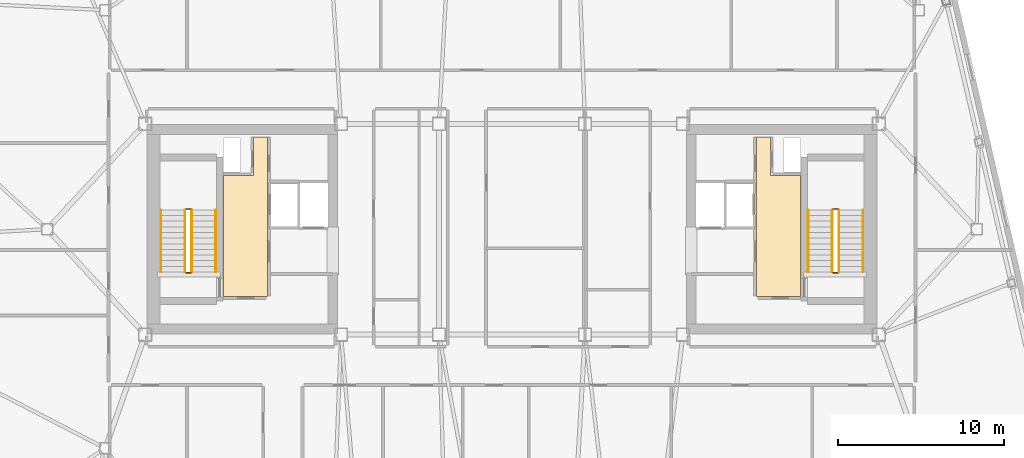
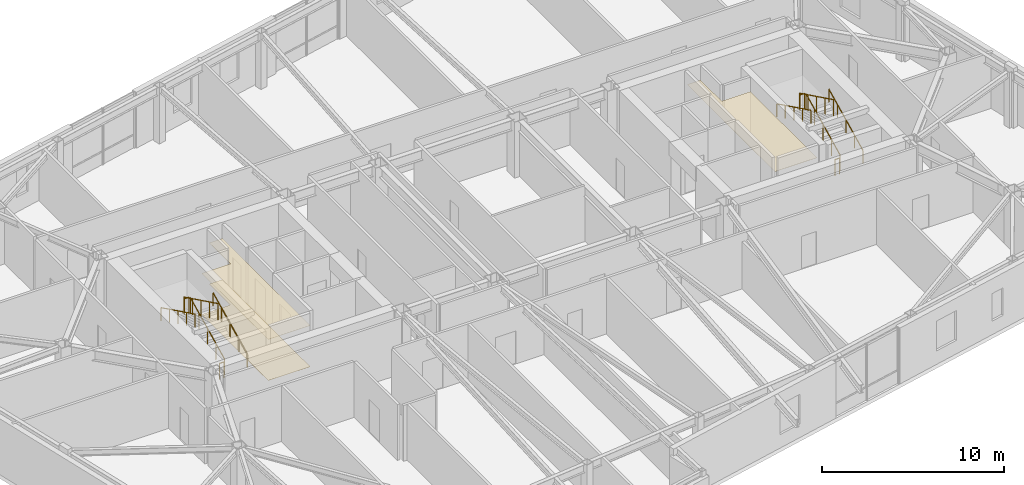
# One storey, part 21 of 21: 12 railings, 3 coverings.
"""IFC4 building model written with IfcOpenShell, lengths in metres."""

from ifc_helpers import new_model, si_unit, direction, frame, origin, origin_2d, place, context, subcontext, project, spatial, polyline, rectangle, outline, extrude, material, layer, layer_set, type_object, element, save


model = new_model("IFC4")

# Units and contexts
model_context = context("Model", 3, precision=1e-05, world=origin(), true_north=direction((0.0, 1.0)))
body_context = subcontext(model_context, "Body", "Model", "MODEL_VIEW")
ifc_project = project(units=[si_unit("LENGTHUNIT", "METRE"), si_unit("AREAUNIT", "SQUARE_METRE"), si_unit("VOLUMEUNIT", "CUBIC_METRE"), si_unit("PLANEANGLEUNIT", "RADIAN"), si_unit("MASSUNIT", "GRAM", prefix="KILO")], contexts=[model_context])

# Site, building, storey
site_placement = place(None, origin())
site = spatial("IfcSite", under=ifc_project, at=site_placement, CompositionType="ELEMENT")
building_placement = place(site_placement, origin())
building = spatial("IfcBuilding", under=site, at=building_placement, Name="Tavrogorsk Clinical Tower", CompositionType="ELEMENT")
storey_placement = place(building_placement, frame((0.0, 0.0, 285.0)))
storey = spatial("IfcBuildingStorey", under=building, at=storey_placement, Name="L66", CompositionType="ELEMENT", Elevation=285.0)

# Coverings
ifc_material_1 = material(Name="Antibacterial micro-perforated aluminium ceiling", Category="aluminium")
ifc_layer_1 = layer(ifc_material_1, 0.014892578125)
ifc_layer_set_1 = layer_set([ifc_layer_1], Name="Antibacterial micro-perforated aluminium ceiling")
covering_type_1 = type_object("IfcCoveringType", Name="ClinicalCeiling_15", PredefinedType="CEILING", material=ifc_layer_set_1)
covering_1_placement = place(storey_placement, frame((0.0, 0.0, 2.75)))
element("IfcCovering", 1, at=covering_1_placement, inside=storey, type_object=covering_type_1, Name="Core West Firefighting Lift Lobby Acoustic Ceiling", PredefinedType="CEILING", context=body_context, shape_type="SweptSolid", body=[
    extrude(outline(polyline([(-14.719970703125, 5.56005859375), (-14.719970703125, -4.06005859375), (-17.3798828125, -4.06005859375), (-17.3798828125, 3.239990234375), (-15.56005859375, 3.239990234375), (-15.56005859375, 5.56005859375), (-14.719970703125, 5.56005859375)])), origin(), (0.0, 0.0, 1.0), 0.014892578125),
])
covering_2_placement = place(storey_placement, frame((0.0, 0.0, 2.75)))
element("IfcCovering", 2, at=covering_2_placement, inside=storey, type_object=covering_type_1, Name="Core East Firefighting Lift Lobby Acoustic Ceiling", PredefinedType="CEILING", context=body_context, shape_type="SweptSolid", body=[
    extrude(outline(polyline([(17.3798828125, -4.06005859375), (14.719970703125, -4.06005859375), (14.719970703125, 5.56005859375), (15.56005859375, 5.56005859375), (15.56005859375, 3.239990234375), (17.3798828125, 3.239990234375), (17.3798828125, -4.06005859375)])), origin(), (0.0, 0.0, 1.0), 0.014892578125),
])
ifc_material_2 = material(Name="Homogeneous medical conductive PVC flooring")
ifc_layer_2 = layer(ifc_material_2, 0.008056640625)
ifc_layer_set_2 = layer_set([ifc_layer_2], Name="Homogeneous medical conductive PVC flooring")
covering_type_2 = type_object("IfcCoveringType", Name="ResilientVinylFloor_8", PredefinedType="FLOORING", material=ifc_layer_set_2)
covering_3_placement = place(storey_placement, origin())
element("IfcCovering", 3, at=covering_3_placement, inside=storey, type_object=covering_type_2, Name="Core West Firefighting Lift Lobby Conductive Vinyl Flooring", PredefinedType="FLOORING", context=body_context, shape_type="SweptSolid", body=[
    extrude(outline(polyline([(-14.719970703125, 5.56005859375), (-14.719970703125, -4.06005859375), (-17.3798828125, -4.06005859375), (-17.3798828125, 3.239990234375), (-15.56005859375, 3.239990234375), (-15.56005859375, 5.56005859375), (-14.719970703125, 5.56005859375)])), origin(), (0.0, 0.0, 1.0), 0.008056640625),
])

# Railings
ifc_material_3 = material(Name="Galvanised steel S355 safety stairwell guard", Category="steel")
ifc_layer_3 = layer(ifc_material_3, 0.06005859375)
ifc_layer_set_3 = layer_set([ifc_layer_3], Name="Galvanised steel S355 safety stairwell guard")
railing_type_1 = type_object("IfcRailingType", Name="StairGuard_1150", PredefinedType="GUARDRAIL", material=ifc_layer_set_3)
railing_1_placement = place(storey_placement, frame((-19.300048828125, -2.574951171875, 0.166748046875)))
element("IfcRailing", 4, at=railing_1_placement, inside=storey, type_object=railing_type_1, Name="L66 ST-W stair guard 1", PredefinedType="GUARDRAIL", context=body_context, shape_type="SweptSolid", body=[
    extrude(rectangle(XDim=0.048095703125, YDim=0.048095703125, at=origin_2d()), frame((0.0, 0.0, 1.076171875), z_axis=(0.0, 0.897927990467, 0.440142390523), x_axis=(-1.0, 0.0, 0.0)), (0.0, 0.0, 1.0), 4.1650390625),
    extrude(rectangle(XDim=0.0419921875, YDim=0.0419921875, at=origin_2d()), origin(), (0.0, 0.0, 1.0), 1.052001953125),
    extrude(rectangle(XDim=0.0419921875, YDim=0.0419921875, at=origin_2d()), frame((0.0, 0.93505859375, 0.458251953125)), (0.0, 0.0, 1.0), 1.052001953125),
    extrude(rectangle(XDim=0.0419921875, YDim=0.0419921875, at=origin_2d()), frame((0.0, 1.8701171875, 0.91650390625)), (0.0, 0.0, 1.0), 1.052001953125),
    extrude(rectangle(XDim=0.0419921875, YDim=0.0419921875, at=origin_2d()), frame((0.0, 2.804931640625, 1.375)), (0.0, 0.0, 1.0), 1.052001953125),
    extrude(rectangle(XDim=0.0419921875, YDim=0.0419921875, at=origin_2d()), frame((0.0, 3.739990234375, 1.833251953125)), (0.0, 0.0, 1.0), 1.052001953125),
])
railing_2_placement = place(storey_placement, frame((-19.35009765625, 1.215087890625, 2.0)))
element("IfcRailing", 5, at=railing_2_placement, inside=storey, type_object=railing_type_1, Name="L66 ST-W stair guard 2", PredefinedType="GUARDRAIL", context=body_context, shape_type="SweptSolid", body=[
    extrude(rectangle(XDim=0.048095703125, YDim=0.048095703125, at=origin_2d()), frame((0.0, 0.0, 1.076171875), z_axis=(-1.0, 0.0, 0.0), x_axis=(0.0, -1.0, 0.0)), (0.0, 0.0, 1.0), 0.2998046875),
    extrude(rectangle(XDim=0.0419921875, YDim=0.0419921875, at=origin_2d()), origin(), (0.0, 0.0, 1.0), 1.052001953125),
    extrude(rectangle(XDim=0.0419921875, YDim=0.0419921875, at=origin_2d()), frame((-0.2998046875, 0.0, 0.0)), (0.0, 0.0, 1.0), 1.052001953125),
])
railing_3_placement = place(storey_placement, frame((-19.699951171875, 1.1650390625, 2.166748046875)))
element("IfcRailing", 6, at=railing_3_placement, inside=storey, type_object=railing_type_1, Name="L66 ST-W stair guard 3", PredefinedType="GUARDRAIL", context=body_context, shape_type="SweptSolid", body=[
    extrude(rectangle(XDim=0.048095703125, YDim=0.048095703125, at=origin_2d()), frame((0.0, 0.0, 1.076171875), z_axis=(0.0, -0.897927990467, 0.440142390523), x_axis=(1.0, 0.0, 0.0)), (0.0, 0.0, 1.0), 4.1650390625),
    extrude(rectangle(XDim=0.0419921875, YDim=0.0419921875, at=origin_2d()), origin(), (0.0, 0.0, 1.0), 1.052001953125),
    extrude(rectangle(XDim=0.0419921875, YDim=0.0419921875, at=origin_2d()), frame((0.0, -0.93505859375, 0.458251953125)), (0.0, 0.0, 1.0), 1.052001953125),
    extrude(rectangle(XDim=0.0419921875, YDim=0.0419921875, at=origin_2d()), frame((0.0, -1.8701171875, 0.91650390625)), (0.0, 0.0, 1.0), 1.052001953125),
    extrude(rectangle(XDim=0.0419921875, YDim=0.0419921875, at=origin_2d()), frame((0.0, -2.804931640625, 1.375)), (0.0, 0.0, 1.0), 1.052001953125),
    extrude(rectangle(XDim=0.0419921875, YDim=0.0419921875, at=origin_2d()), frame((0.0, -3.739990234375, 1.833251953125)), (0.0, 0.0, 1.0), 1.052001953125),
])
railing_4_placement = place(storey_placement, frame((-19.35009765625, -2.625, 0.0)))
element("IfcRailing", 7, at=railing_4_placement, inside=storey, type_object=railing_type_1, Name="L66 ST-W stair guard 4", PredefinedType="GUARDRAIL", context=body_context, shape_type="SweptSolid", body=[
    extrude(rectangle(XDim=0.048095703125, YDim=0.048095703125, at=origin_2d()), frame((0.0, 0.0, 1.076171875), z_axis=(-1.0, 0.0, 0.0), x_axis=(0.0, -1.0, 0.0)), (0.0, 0.0, 1.0), 0.2998046875),
    extrude(rectangle(XDim=0.0419921875, YDim=0.0419921875, at=origin_2d()), origin(), (0.0, 0.0, 1.0), 1.052001953125),
    extrude(rectangle(XDim=0.0419921875, YDim=0.0419921875, at=origin_2d()), frame((-0.2998046875, 0.0, 0.0)), (0.0, 0.0, 1.0), 1.052001953125),
])
railing_5_placement = place(storey_placement, frame((19.699951171875, -2.574951171875, 0.166748046875)))
element("IfcRailing", 8, at=railing_5_placement, inside=storey, type_object=railing_type_1, Name="L66 ST-E stair guard 1", PredefinedType="GUARDRAIL", context=body_context, shape_type="SweptSolid", body=[
    extrude(rectangle(XDim=0.048095703125, YDim=0.048095703125, at=origin_2d()), frame((0.0, 0.0, 1.076171875), z_axis=(0.0, 0.897927990467, 0.440142390523), x_axis=(-1.0, 0.0, 0.0)), (0.0, 0.0, 1.0), 4.1650390625),
    extrude(rectangle(XDim=0.0419921875, YDim=0.0419921875, at=origin_2d()), origin(), (0.0, 0.0, 1.0), 1.052001953125),
    extrude(rectangle(XDim=0.0419921875, YDim=0.0419921875, at=origin_2d()), frame((0.0, 0.93505859375, 0.458251953125)), (0.0, 0.0, 1.0), 1.052001953125),
    extrude(rectangle(XDim=0.0419921875, YDim=0.0419921875, at=origin_2d()), frame((0.0, 1.8701171875, 0.91650390625)), (0.0, 0.0, 1.0), 1.052001953125),
    extrude(rectangle(XDim=0.0419921875, YDim=0.0419921875, at=origin_2d()), frame((0.0, 2.804931640625, 1.375)), (0.0, 0.0, 1.0), 1.052001953125),
    extrude(rectangle(XDim=0.0419921875, YDim=0.0419921875, at=origin_2d()), frame((0.0, 3.739990234375, 1.833251953125)), (0.0, 0.0, 1.0), 1.052001953125),
])
railing_6_placement = place(storey_placement, frame((19.64990234375, 1.215087890625, 2.0)))
element("IfcRailing", 9, at=railing_6_placement, inside=storey, type_object=railing_type_1, Name="L66 ST-E stair guard 2", PredefinedType="GUARDRAIL", context=body_context, shape_type="SweptSolid", body=[
    extrude(rectangle(XDim=0.048095703125, YDim=0.048095703125, at=origin_2d()), frame((0.0, 0.0, 1.076171875), z_axis=(-1.0, 0.0, 0.0), x_axis=(0.0, -1.0, 0.0)), (0.0, 0.0, 1.0), 0.2998046875),
    extrude(rectangle(XDim=0.0419921875, YDim=0.0419921875, at=origin_2d()), origin(), (0.0, 0.0, 1.0), 1.052001953125),
    extrude(rectangle(XDim=0.0419921875, YDim=0.0419921875, at=origin_2d()), frame((-0.2998046875, 0.0, 0.0)), (0.0, 0.0, 1.0), 1.052001953125),
])
railing_7_placement = place(storey_placement, frame((19.300048828125, 1.1650390625, 2.166748046875)))
element("IfcRailing", 10, at=railing_7_placement, inside=storey, type_object=railing_type_1, Name="L66 ST-E stair guard 3", PredefinedType="GUARDRAIL", context=body_context, shape_type="SweptSolid", body=[
    extrude(rectangle(XDim=0.048095703125, YDim=0.048095703125, at=origin_2d()), frame((0.0, 0.0, 1.076171875), z_axis=(0.0, -0.897927990467, 0.440142390523), x_axis=(1.0, 0.0, 0.0)), (0.0, 0.0, 1.0), 4.1650390625),
    extrude(rectangle(XDim=0.0419921875, YDim=0.0419921875, at=origin_2d()), origin(), (0.0, 0.0, 1.0), 1.052001953125),
    extrude(rectangle(XDim=0.0419921875, YDim=0.0419921875, at=origin_2d()), frame((0.0, -0.93505859375, 0.458251953125)), (0.0, 0.0, 1.0), 1.052001953125),
    extrude(rectangle(XDim=0.0419921875, YDim=0.0419921875, at=origin_2d()), frame((0.0, -1.8701171875, 0.91650390625)), (0.0, 0.0, 1.0), 1.052001953125),
    extrude(rectangle(XDim=0.0419921875, YDim=0.0419921875, at=origin_2d()), frame((0.0, -2.804931640625, 1.375)), (0.0, 0.0, 1.0), 1.052001953125),
    extrude(rectangle(XDim=0.0419921875, YDim=0.0419921875, at=origin_2d()), frame((0.0, -3.739990234375, 1.833251953125)), (0.0, 0.0, 1.0), 1.052001953125),
])
railing_8_placement = place(storey_placement, frame((19.64990234375, -2.625, 0.0)))
element("IfcRailing", 11, at=railing_8_placement, inside=storey, type_object=railing_type_1, Name="L66 ST-E stair guard 4", PredefinedType="GUARDRAIL", context=body_context, shape_type="SweptSolid", body=[
    extrude(rectangle(XDim=0.048095703125, YDim=0.048095703125, at=origin_2d()), frame((0.0, 0.0, 1.076171875), z_axis=(-1.0, 0.0, 0.0), x_axis=(0.0, -1.0, 0.0)), (0.0, 0.0, 1.0), 0.2998046875),
    extrude(rectangle(XDim=0.0419921875, YDim=0.0419921875, at=origin_2d()), origin(), (0.0, 0.0, 1.0), 1.052001953125),
    extrude(rectangle(XDim=0.0419921875, YDim=0.0419921875, at=origin_2d()), frame((-0.2998046875, 0.0, 0.0)), (0.0, 0.0, 1.0), 1.052001953125),
])
ifc_material_4 = material(Name="Stainless steel AISI 304 tubular handrail", Category="steel")
ifc_layer_4 = layer(ifc_material_4, 0.050048828125)
ifc_layer_set_4 = layer_set([ifc_layer_4], Name="Stainless steel AISI 304 tubular handrail")
railing_type_2 = type_object("IfcRailingType", Name="StairHandrail_920", PredefinedType="HANDRAIL", material=ifc_layer_set_4)
railing_9_placement = place(storey_placement, frame((-17.85009765625, -2.574951171875, 0.166748046875)))
element("IfcRailing", 12, at=railing_9_placement, inside=storey, type_object=railing_type_2, Name="L66 ST-W stair handrail 1", PredefinedType="HANDRAIL", context=body_context, shape_type="SweptSolid", body=[
    extrude(rectangle(XDim=0.048095703125, YDim=0.048095703125, at=origin_2d()), frame((0.0, 0.0, 0.8759765625), z_axis=(0.0, 0.897927990467, 0.440142390523), x_axis=(-1.0, 0.0, 0.0)), (0.0, 0.0, 1.0), 4.1650390625),
    extrude(rectangle(XDim=0.0419921875, YDim=0.0419921875, at=origin_2d()), origin(), (0.0, 0.0, 1.0), 0.851806640625),
    extrude(rectangle(XDim=0.0419921875, YDim=0.0419921875, at=origin_2d()), frame((0.0, 0.93505859375, 0.458251953125)), (0.0, 0.0, 1.0), 0.851806640625),
    extrude(rectangle(XDim=0.0419921875, YDim=0.0419921875, at=origin_2d()), frame((0.0, 1.8701171875, 0.91650390625)), (0.0, 0.0, 1.0), 0.851806640625),
    extrude(rectangle(XDim=0.0419921875, YDim=0.0419921875, at=origin_2d()), frame((0.0, 2.804931640625, 1.375)), (0.0, 0.0, 1.0), 0.851806640625),
    extrude(rectangle(XDim=0.0419921875, YDim=0.0419921875, at=origin_2d()), frame((0.0, 3.739990234375, 1.833251953125)), (0.0, 0.0, 1.0), 0.851806640625),
])
railing_10_placement = place(storey_placement, frame((-21.14990234375, 1.1650390625, 2.166748046875)))
element("IfcRailing", 13, at=railing_10_placement, inside=storey, type_object=railing_type_2, Name="L66 ST-W stair handrail 2", PredefinedType="HANDRAIL", context=body_context, shape_type="SweptSolid", body=[
    extrude(rectangle(XDim=0.048095703125, YDim=0.048095703125, at=origin_2d()), frame((0.0, 0.0, 0.8759765625), z_axis=(0.0, -0.897927990467, 0.440142390523), x_axis=(1.0, 0.0, 0.0)), (0.0, 0.0, 1.0), 4.1650390625),
    extrude(rectangle(XDim=0.0419921875, YDim=0.0419921875, at=origin_2d()), origin(), (0.0, 0.0, 1.0), 0.851806640625),
    extrude(rectangle(XDim=0.0419921875, YDim=0.0419921875, at=origin_2d()), frame((0.0, -0.93505859375, 0.458251953125)), (0.0, 0.0, 1.0), 0.851806640625),
    extrude(rectangle(XDim=0.0419921875, YDim=0.0419921875, at=origin_2d()), frame((0.0, -1.8701171875, 0.91650390625)), (0.0, 0.0, 1.0), 0.851806640625),
    extrude(rectangle(XDim=0.0419921875, YDim=0.0419921875, at=origin_2d()), frame((0.0, -2.804931640625, 1.375)), (0.0, 0.0, 1.0), 0.851806640625),
    extrude(rectangle(XDim=0.0419921875, YDim=0.0419921875, at=origin_2d()), frame((0.0, -3.739990234375, 1.833251953125)), (0.0, 0.0, 1.0), 0.851806640625),
])
railing_11_placement = place(storey_placement, frame((21.14990234375, -2.574951171875, 0.166748046875)))
element("IfcRailing", 14, at=railing_11_placement, inside=storey, type_object=railing_type_2, Name="L66 ST-E stair handrail 1", PredefinedType="HANDRAIL", context=body_context, shape_type="SweptSolid", body=[
    extrude(rectangle(XDim=0.048095703125, YDim=0.048095703125, at=origin_2d()), frame((0.0, 0.0, 0.8759765625), z_axis=(0.0, 0.897927990467, 0.440142390523), x_axis=(-1.0, 0.0, 0.0)), (0.0, 0.0, 1.0), 4.1650390625),
    extrude(rectangle(XDim=0.0419921875, YDim=0.0419921875, at=origin_2d()), origin(), (0.0, 0.0, 1.0), 0.851806640625),
    extrude(rectangle(XDim=0.0419921875, YDim=0.0419921875, at=origin_2d()), frame((0.0, 0.93505859375, 0.458251953125)), (0.0, 0.0, 1.0), 0.851806640625),
    extrude(rectangle(XDim=0.0419921875, YDim=0.0419921875, at=origin_2d()), frame((0.0, 1.8701171875, 0.91650390625)), (0.0, 0.0, 1.0), 0.851806640625),
    extrude(rectangle(XDim=0.0419921875, YDim=0.0419921875, at=origin_2d()), frame((0.0, 2.804931640625, 1.375)), (0.0, 0.0, 1.0), 0.851806640625),
    extrude(rectangle(XDim=0.0419921875, YDim=0.0419921875, at=origin_2d()), frame((0.0, 3.739990234375, 1.833251953125)), (0.0, 0.0, 1.0), 0.851806640625),
])
railing_12_placement = place(storey_placement, frame((17.85009765625, 1.1650390625, 2.166748046875)))
element("IfcRailing", 15, at=railing_12_placement, inside=storey, type_object=railing_type_2, Name="L66 ST-E stair handrail 2", PredefinedType="HANDRAIL", context=body_context, shape_type="SweptSolid", body=[
    extrude(rectangle(XDim=0.048095703125, YDim=0.048095703125, at=origin_2d()), frame((0.0, 0.0, 0.8759765625), z_axis=(0.0, -0.897927990467, 0.440142390523), x_axis=(1.0, 0.0, 0.0)), (0.0, 0.0, 1.0), 4.1650390625),
    extrude(rectangle(XDim=0.0419921875, YDim=0.0419921875, at=origin_2d()), origin(), (0.0, 0.0, 1.0), 0.851806640625),
    extrude(rectangle(XDim=0.0419921875, YDim=0.0419921875, at=origin_2d()), frame((0.0, -0.93505859375, 0.458251953125)), (0.0, 0.0, 1.0), 0.851806640625),
    extrude(rectangle(XDim=0.0419921875, YDim=0.0419921875, at=origin_2d()), frame((0.0, -1.8701171875, 0.91650390625)), (0.0, 0.0, 1.0), 0.851806640625),
    extrude(rectangle(XDim=0.0419921875, YDim=0.0419921875, at=origin_2d()), frame((0.0, -2.804931640625, 1.375)), (0.0, 0.0, 1.0), 0.851806640625),
    extrude(rectangle(XDim=0.0419921875, YDim=0.0419921875, at=origin_2d()), frame((0.0, -3.739990234375, 1.833251953125)), (0.0, 0.0, 1.0), 0.851806640625),
])

save(model, "model.ifc")
